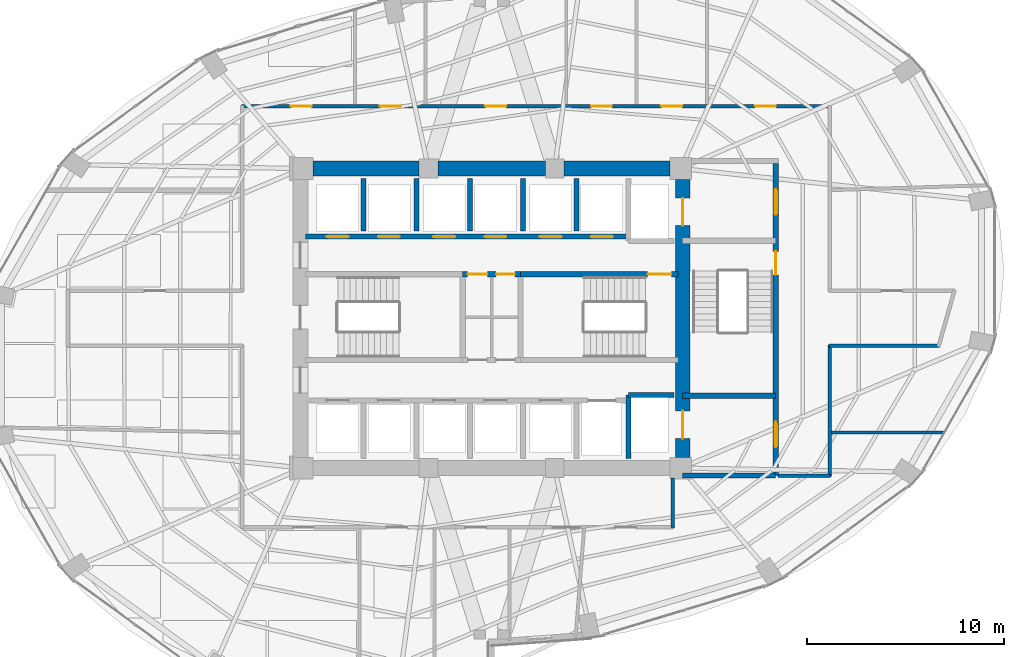
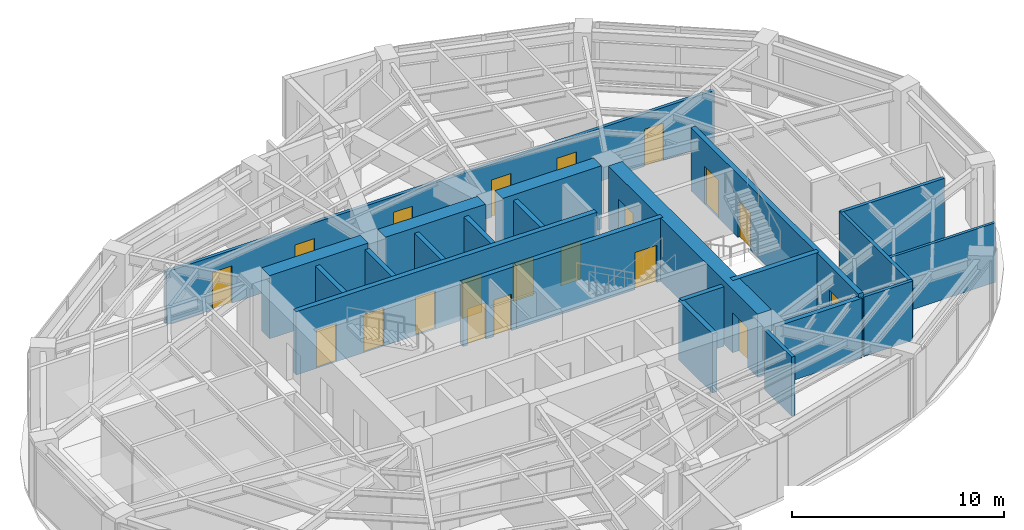
# One storey, part 20 of 23: 23 walls, 20 doors, 20 openings.
"""IFC4 building model written with IfcOpenShell, lengths in metres."""

from ifc_helpers import new_model, si_unit, direction, frame, frame_2d, origin, place, context, subcontext, project, spatial, rectangle, extrude, material, layer, layer_set, type_object, element, fill, save


model = new_model("IFC4")

# Units and contexts
model_context = context("Model", 3, precision=1e-05, world=origin(), true_north=direction((0.0, 1.0)))
body_context = subcontext(model_context, "Body", "Model", "MODEL_VIEW")
ifc_project = project(units=[si_unit("LENGTHUNIT", "METRE"), si_unit("AREAUNIT", "SQUARE_METRE"), si_unit("VOLUMEUNIT", "CUBIC_METRE"), si_unit("PLANEANGLEUNIT", "RADIAN"), si_unit("MASSUNIT", "GRAM", prefix="KILO")], contexts=[model_context])

# Site, building, storey
site_placement = place(None, origin())
site = spatial("IfcSite", under=ifc_project, at=site_placement, CompositionType="ELEMENT")
building_placement = place(site_placement, origin())
building = spatial("IfcBuilding", under=site, at=building_placement, Name="Lazwardi Medical Tower", CompositionType="ELEMENT")
storey_placement = place(building_placement, frame((0.0, 0.0, 89.0400390625)))
storey = spatial("IfcBuildingStorey", under=building, at=storey_placement, Name="L22", CompositionType="ELEMENT", Elevation=89.0400390625)

# Wall, openings, doors
ifc_material_1 = material(Name="Fire-rated gypsum board on steel stud", Category="steel")
ifc_layer_1 = layer(ifc_material_1, 0.179931640625)
ifc_layer_set_1 = layer_set([ifc_layer_1], Name="Fire-rated gypsum board on steel stud")
wall_type_1 = type_object("IfcWallType", Name="WL-COR-180", PredefinedType="PARTITIONING", material=ifc_layer_set_1)
wall_1_placement = place(storey_placement, frame((23.31005859375, 38.75, 0.0), z_axis=(0.0, 0.0, 1.0), x_axis=(1.0, 0.0, 0.0)))
wall_1 = element("IfcWall", 1, at=wall_1_placement, inside=storey, type_object=wall_type_1, Name="L22 Corridor partition 4", PredefinedType="PARTITIONING", context=body_context, shape_type="SweptSolid", body=[
    extrude(rectangle(XDim=29.8798828125, YDim=0.179931640625, at=frame_2d((14.93994140625, 0.0))), origin(), (0.0, 0.0, 1.0), 3.052978515625),
])
opening_1_placement = place(wall_1_placement, frame((26.06591796875, 0.0, 0.0)))
opening_1 = element("IfcOpeningElement", 2, at=opening_1_placement, cuts=wall_1, Name="Opening D-L22-015", PredefinedType="OPENING", context=body_context, shape_type="SweptSolid", body=[
    extrude(rectangle(XDim=1.050048828125, YDim=2.14990234375, at=frame_2d((0.52490234375, 1.074951171875))), frame((0.0, 0.099853515625, 0.0), z_axis=(0.0, -1.0, 0.0), x_axis=(1.0, 0.0, 0.0)), (0.0, 0.0, 1.0), 0.199951171875),
])
opening_2_placement = place(wall_1_placement, frame((21.31005859375, 0.0, 0.0)))
opening_2 = element("IfcOpeningElement", 3, at=opening_2_placement, cuts=wall_1, Name="Opening D-L22-016", PredefinedType="OPENING", context=body_context, shape_type="SweptSolid", body=[
    extrude(rectangle(XDim=1.050048828125, YDim=2.14990234375, at=frame_2d((0.52490234375, 1.074951171875))), frame((0.0, 0.099853515625, 0.0), z_axis=(0.0, -1.0, 0.0), x_axis=(1.0, 0.0, 0.0)), (0.0, 0.0, 1.0), 0.199951171875),
])
opening_3_placement = place(wall_1_placement, frame((17.739990234375, 0.0, 0.0)))
opening_3 = element("IfcOpeningElement", 4, at=opening_3_placement, cuts=wall_1, Name="Opening D-L22-017", PredefinedType="OPENING", context=body_context, shape_type="SweptSolid", body=[
    extrude(rectangle(XDim=1.050048828125, YDim=2.14990234375, at=frame_2d((0.52490234375, 1.074951171875))), frame((0.0, 0.099853515625, 0.0), z_axis=(0.0, -1.0, 0.0), x_axis=(1.0, 0.0, 0.0)), (0.0, 0.0, 1.0), 0.199951171875),
])
opening_4_placement = place(wall_1_placement, frame((12.3798828125, 0.0, 0.0)))
opening_4 = element("IfcOpeningElement", 5, at=opening_4_placement, cuts=wall_1, Name="Opening D-L22-018", PredefinedType="OPENING", context=body_context, shape_type="SweptSolid", body=[
    extrude(rectangle(XDim=1.050048828125, YDim=2.14990234375, at=frame_2d((0.52490234375, 1.074951171875))), frame((0.0, 0.099853515625, 0.0), z_axis=(0.0, -1.0, 0.0), x_axis=(1.0, 0.0, 0.0)), (0.0, 0.0, 1.0), 0.199951171875),
])
opening_5_placement = place(wall_1_placement, frame((7.02001953125, 0.0, 0.0)))
opening_5 = element("IfcOpeningElement", 6, at=opening_5_placement, cuts=wall_1, Name="Opening D-L22-019", PredefinedType="OPENING", context=body_context, shape_type="SweptSolid", body=[
    extrude(rectangle(XDim=1.050048828125, YDim=2.14990234375, at=frame_2d((0.52490234375, 1.074951171875))), frame((0.0, 0.099853515625, 0.0), z_axis=(0.0, -1.0, 0.0), x_axis=(1.0, 0.0, 0.0)), (0.0, 0.0, 1.0), 0.199951171875),
])
opening_6_placement = place(wall_1_placement, frame((2.513916015625, 0.0, 0.0)))
opening_6 = element("IfcOpeningElement", 7, at=opening_6_placement, cuts=wall_1, Name="Opening D-L22-020", PredefinedType="OPENING", context=body_context, shape_type="SweptSolid", body=[
    extrude(rectangle(XDim=1.050048828125, YDim=2.14990234375, at=frame_2d((0.52490234375, 1.074951171875))), frame((0.0, 0.099853515625, 0.0), z_axis=(0.0, -1.0, 0.0), x_axis=(1.0, 0.0, 0.0)), (0.0, 0.0, 1.0), 0.199951171875),
])
ifc_material_2 = material(Name="Anti-microbial laminate hospital leaf")
door_type_1 = type_object("IfcDoorType", Name="DR-CLN-1050", OperationType="NOTDEFINED", PredefinedType="DOOR", material=ifc_material_2)
door_1_placement = place(opening_1_placement, origin())
door_1 = element("IfcDoor", 8, at=door_1_placement, inside=storey, type_object=door_type_1, Name="L22 Outpatient Consultation Suite Door 07", OperationType="SINGLE_SWING_LEFT", OverallHeight=2.14990234375, OverallWidth=1.050048828125, PredefinedType="DOOR", context=body_context, shape_type="SweptSolid", body=[
    extrude(rectangle(XDim=1.050048828125, YDim=2.14990234375, at=frame_2d((0.52490234375, 1.074951171875))), frame((0.0, 0.02490234375, 0.0), z_axis=(0.0, -1.0, 0.0), x_axis=(1.0, 0.0, 0.0)), (0.0, 0.0, 1.0), 0.050048828125),
])
fill(opening_1, door_1)
door_2_placement = place(opening_2_placement, origin())
door_2 = element("IfcDoor", 9, at=door_2_placement, inside=storey, type_object=door_type_1, Name="L22 Outpatient Consultation Suite Door 08", OperationType="SINGLE_SWING_RIGHT", OverallHeight=2.14990234375, OverallWidth=1.050048828125, PredefinedType="DOOR", context=body_context, shape_type="SweptSolid", body=[
    extrude(rectangle(XDim=1.050048828125, YDim=2.14990234375, at=frame_2d((0.52490234375, 1.074951171875))), frame((0.0, 0.02490234375, 0.0), z_axis=(0.0, -1.0, 0.0), x_axis=(1.0, 0.0, 0.0)), (0.0, 0.0, 1.0), 0.050048828125),
])
fill(opening_2, door_2)
door_3_placement = place(opening_3_placement, origin())
door_3 = element("IfcDoor", 10, at=door_3_placement, inside=storey, type_object=door_type_1, Name="L22 Outpatient Consultation Suite Door 09", OperationType="SINGLE_SWING_LEFT", OverallHeight=2.14990234375, OverallWidth=1.050048828125, PredefinedType="DOOR", context=body_context, shape_type="SweptSolid", body=[
    extrude(rectangle(XDim=1.050048828125, YDim=2.14990234375, at=frame_2d((0.52490234375, 1.074951171875))), frame((0.0, 0.02490234375, 0.0), z_axis=(0.0, -1.0, 0.0), x_axis=(1.0, 0.0, 0.0)), (0.0, 0.0, 1.0), 0.050048828125),
])
fill(opening_3, door_3)
door_4_placement = place(opening_4_placement, origin())
door_4 = element("IfcDoor", 11, at=door_4_placement, inside=storey, type_object=door_type_1, Name="L22 Outpatient Consultation Suite Door 10", OperationType="SINGLE_SWING_RIGHT", OverallHeight=2.14990234375, OverallWidth=1.050048828125, PredefinedType="DOOR", context=body_context, shape_type="SweptSolid", body=[
    extrude(rectangle(XDim=1.050048828125, YDim=2.14990234375, at=frame_2d((0.52490234375, 1.074951171875))), frame((0.0, 0.02490234375, 0.0), z_axis=(0.0, -1.0, 0.0), x_axis=(1.0, 0.0, 0.0)), (0.0, 0.0, 1.0), 0.050048828125),
])
fill(opening_4, door_4)
door_5_placement = place(opening_5_placement, origin())
door_5 = element("IfcDoor", 12, at=door_5_placement, inside=storey, type_object=door_type_1, Name="L22 Outpatient Consultation Suite Door 11", OperationType="SINGLE_SWING_LEFT", OverallHeight=2.14990234375, OverallWidth=1.050048828125, PredefinedType="DOOR", context=body_context, shape_type="SweptSolid", body=[
    extrude(rectangle(XDim=1.050048828125, YDim=2.14990234375, at=frame_2d((0.52490234375, 1.074951171875))), frame((0.0, 0.02490234375, 0.0), z_axis=(0.0, -1.0, 0.0), x_axis=(1.0, 0.0, 0.0)), (0.0, 0.0, 1.0), 0.050048828125),
])
fill(opening_5, door_5)
door_6_placement = place(opening_6_placement, origin())
door_6 = element("IfcDoor", 13, at=door_6_placement, inside=storey, type_object=door_type_1, Name="L22 Outpatient Consultation Suite Door 12", OperationType="SINGLE_SWING_RIGHT", OverallHeight=2.14990234375, OverallWidth=1.050048828125, PredefinedType="DOOR", context=body_context, shape_type="SweptSolid", body=[
    extrude(rectangle(XDim=1.050048828125, YDim=2.14990234375, at=frame_2d((0.52490234375, 1.074951171875))), frame((0.0, 0.02490234375, 0.0), z_axis=(0.0, -1.0, 0.0), x_axis=(1.0, 0.0, 0.0)), (0.0, 0.0, 1.0), 0.050048828125),
])
fill(opening_6, door_6)

# Walls
wall_2_placement = place(storey_placement, frame((58.727294921875, 26.60009765625, 0.0), z_axis=(0.0, 0.0, 1.0), x_axis=(-1.0, 0.0, 0.0)))
element("IfcWall", 14, at=wall_2_placement, inside=storey, type_object=wall_type_1, Name="L22 Corridor partition 8", PredefinedType="PARTITIONING", context=body_context, shape_type="SweptSolid", body=[
    extrude(rectangle(XDim=5.6171875, YDim=0.179931640625, at=frame_2d((2.80859375, 0.0))), origin(), (0.0, 0.0, 1.0), 3.427978515625),
])
wall_3_placement = place(storey_placement, frame((53.14990234375, 26.639892578125, 0.0), z_axis=(0.0, 0.0, 1.0), x_axis=(0.0, -1.0, 0.0)))
element("IfcWall", 15, at=wall_3_placement, inside=storey, type_object=wall_type_1, Name="L22 Corridor partition 9", PredefinedType="PARTITIONING", context=body_context, shape_type="SweptSolid", body=[
    extrude(rectangle(XDim=6.659912109375, YDim=0.179931640625, at=frame_2d((3.330078125, 0.0))), origin(), (0.0, 0.0, 1.0), 3.427978515625),
])
wall_4_placement = place(storey_placement, frame((53.18994140625, 20.02001953125, 0.0), z_axis=(0.0, 0.0, 1.0), x_axis=(-1.0, 0.0, 0.0)))
element("IfcWall", 16, at=wall_4_placement, inside=storey, type_object=wall_type_1, Name="L22 Corridor partition 10", PredefinedType="PARTITIONING", context=body_context, shape_type="SweptSolid", body=[
    extrude(rectangle(XDim=2.64990234375, YDim=0.179931640625, at=frame_2d((1.324951171875, 0.0))), origin(), (0.0, 0.0, 1.0), 3.427978515625),
])
wall_5_placement = place(storey_placement, frame((45.199951171875, 19.909912109375, 0.0), z_axis=(0.0, 0.0, 1.0), x_axis=(0.0, -1.0, 0.0)))
element("IfcWall", 17, at=wall_5_placement, inside=storey, type_object=wall_type_1, Name="L22 Corridor partition 13", PredefinedType="PARTITIONING", context=body_context, shape_type="SweptSolid", body=[
    extrude(rectangle(XDim=2.5498046875, YDim=0.179931640625, at=frame_2d((1.27490234375, 0.0))), origin(), (0.0, 0.0, 1.0), 3.427978515625),
])

# Wall, openings, doors
ifc_material_3 = material(Name="Concrete C70/85", Category="concrete")
ifc_layer_2 = layer(ifc_material_3, 0.75)
ifc_layer_set_2 = layer_set([ifc_layer_2], Name="Concrete C70/85")
wall_type_2 = type_object("IfcWallType", Name="WL-CORE-750", PredefinedType="SHEAR", material=ifc_layer_set_2)
wall_6_placement = place(storey_placement, frame((45.699951171875, 20.949951171875, 0.0), z_axis=(0.0, 0.0, 1.0), x_axis=(0.0, 1.0, 0.0)))
wall_6 = element("IfcWall", 18, at=wall_6_placement, inside=storey, type_object=wall_type_2, Name="Core wall CW-S2 east L22", PredefinedType="SHEAR", context=body_context, shape_type="SweptSolid", body=[
    extrude(rectangle(XDim=14.10009765625, YDim=0.75, at=frame_2d((7.050048828125, 0.0))), origin(), (0.0, 0.0, 1.0), 3.64794921875),
])
opening_7_placement = place(wall_6_placement, frame((11.75, 0.0, 0.0)))
opening_7 = element("IfcOpeningElement", 19, at=opening_7_placement, cuts=wall_6, Name="Opening LD-L22-001", PredefinedType="OPENING", context=body_context, shape_type="SweptSolid", body=[
    extrude(rectangle(XDim=1.39990234375, YDim=2.300048828125, at=frame_2d((0.699951171875, 1.14990234375))), frame((0.0, 0.385009765625, 0.0), z_axis=(0.0, -1.0, 0.0), x_axis=(1.0, 0.0, 0.0)), (0.0, 0.0, 1.0), 0.77001953125),
])
opening_8_placement = place(wall_6_placement, frame((0.949951171875, 0.0, 0.0)))
opening_8 = element("IfcOpeningElement", 20, at=opening_8_placement, cuts=wall_6, Name="Opening LD-L22-002", PredefinedType="OPENING", context=body_context, shape_type="SweptSolid", body=[
    extrude(rectangle(XDim=1.39990234375, YDim=2.300048828125, at=frame_2d((0.699951171875, 1.14990234375))), frame((0.0, 0.385009765625, 0.0), z_axis=(0.0, -1.0, 0.0), x_axis=(1.0, 0.0, 0.0)), (0.0, 0.0, 1.0), 0.77001953125),
])
ifc_material_4 = material(Name="Brushed stainless steel bed-lift landing door", Category="steel")
door_type_2 = type_object("IfcDoorType", Name="DR-LFT-1400", OperationType="NOTDEFINED", PredefinedType="DOOR", material=ifc_material_4)
door_7_placement = place(opening_7_placement, origin())
door_7 = element("IfcDoor", 21, at=door_7_placement, inside=storey, type_object=door_type_2, Name="L22 Lift Landing Door FL-01", OperationType="SLIDING_TO_LEFT", OverallHeight=2.300048828125, OverallWidth=1.39990234375, PredefinedType="DOOR", context=body_context, shape_type="SweptSolid", body=[
    extrude(rectangle(XDim=1.39990234375, YDim=2.300048828125, at=frame_2d((0.699951171875, 1.14990234375))), frame((0.0, 0.02490234375, 0.0), z_axis=(0.0, -1.0, 0.0), x_axis=(1.0, 0.0, 0.0)), (0.0, 0.0, 1.0), 0.050048828125),
])
fill(opening_7, door_7)
door_8_placement = place(opening_8_placement, origin())
door_8 = element("IfcDoor", 22, at=door_8_placement, inside=storey, type_object=door_type_2, Name="L22 Lift Landing Door FL-02", OperationType="SLIDING_TO_LEFT", OverallHeight=2.300048828125, OverallWidth=1.39990234375, PredefinedType="DOOR", context=body_context, shape_type="SweptSolid", body=[
    extrude(rectangle(XDim=1.39990234375, YDim=2.300048828125, at=frame_2d((0.699951171875, 1.14990234375))), frame((0.0, 0.02490234375, 0.0), z_axis=(0.0, -1.0, 0.0), x_axis=(1.0, 0.0, 0.0)), (0.0, 0.0, 1.0), 0.050048828125),
])
fill(opening_8, door_8)

# Walls
wall_7_placement = place(storey_placement, frame((26.949951171875, 35.60009765625, 0.0), z_axis=(0.0, 0.0, 1.0), x_axis=(1.0, 0.0, 0.0)))
element("IfcWall", 23, at=wall_7_placement, inside=storey, type_object=wall_type_2, Name="Core wall CW-S2 N1 L22", PredefinedType="SHEAR", context=body_context, shape_type="SweptSolid", body=[
    extrude(rectangle(XDim=5.375, YDim=0.75, at=frame_2d((2.6875, 0.0))), origin(), (0.0, 0.0, 1.0), 3.64794921875),
])
wall_8_placement = place(storey_placement, frame((33.27490234375, 35.60009765625, 0.0), z_axis=(0.0, 0.0, 1.0), x_axis=(1.0, 0.0, 0.0)))
element("IfcWall", 24, at=wall_8_placement, inside=storey, type_object=wall_type_2, Name="Core wall CW-S2 N2 L22", PredefinedType="SHEAR", context=body_context, shape_type="SweptSolid", body=[
    extrude(rectangle(XDim=5.4501953125, YDim=0.75, at=frame_2d((2.72509765625, 0.0))), origin(), (0.0, 0.0, 1.0), 3.64794921875),
])
wall_9_placement = place(storey_placement, frame((39.675048828125, 35.60009765625, 0.0), z_axis=(0.0, 0.0, 1.0), x_axis=(1.0, 0.0, 0.0)))
element("IfcWall", 25, at=wall_9_placement, inside=storey, type_object=wall_type_2, Name="Core wall CW-S2 N3 L22", PredefinedType="SHEAR", context=body_context, shape_type="SweptSolid", body=[
    extrude(rectangle(XDim=5.375, YDim=0.75, at=frame_2d((2.6875, 0.0))), origin(), (0.0, 0.0, 1.0), 3.64794921875),
])
ifc_material_5 = material(Name="Autoclaved aerated concrete blockwork", Category="masonry")
ifc_layer_3 = layer(ifc_material_5, 0.25)
ifc_layer_set_3 = layer_set([ifc_layer_3], Name="Autoclaved aerated concrete blockwork")
wall_type_3 = type_object("IfcWallType", Name="WL-SHAFT-250", PredefinedType="SOLIDWALL", material=ifc_layer_set_3)
wall_10_placement = place(storey_placement, frame((42.949951171875, 20.89990234375, 0.0), z_axis=(0.0, 0.0, 1.0), x_axis=(0.0, 1.0, 0.0)))
element("IfcWall", 26, at=wall_10_placement, inside=storey, type_object=wall_type_3, Name="L22 FL-02 West shaft wall", PredefinedType="SOLIDWALL", context=body_context, shape_type="SweptSolid", body=[
    extrude(rectangle(XDim=3.2001953125, YDim=0.25, at=frame_2d((1.60009765625, 0.0))), origin(), (0.0, 0.0, 1.0), 3.427978515625),
])
wall_11_placement = place(storey_placement, frame((42.949951171875, 24.10009765625, 0.0), z_axis=(0.0, 0.0, 1.0), x_axis=(1.0, 0.0, 0.0)))
element("IfcWall", 27, at=wall_11_placement, inside=storey, type_object=wall_type_3, Name="L22 FL-02 North shaft wall", PredefinedType="SOLIDWALL", context=body_context, shape_type="SweptSolid", body=[
    extrude(rectangle(XDim=2.300048828125, YDim=0.25, at=frame_2d((1.14990234375, 0.0))), origin(), (0.0, 0.0, 1.0), 3.427978515625),
])
for number, where, z_axis, x_axis, name in (
    (28, (29.5, 32.419921875, 0.0), (0.0, 0.0, 1.0), (0.0, 1.0, 0.0), "L22 North hoistway divider"),
    (29, (32.199951171875, 32.419921875, 0.0), (0.0, 0.0, 1.0), (0.0, 1.0, 0.0), "L22 North hoistway divider"),
    (30, (34.89990234375, 32.419921875, 0.0), (0.0, 0.0, 1.0), (0.0, 1.0, 0.0), "L22 North hoistway divider"),
    (31, (37.60009765625, 32.419921875, 0.0), (0.0, 0.0, 1.0), (0.0, 1.0, 0.0), "L22 North hoistway divider"),
    (32, (40.300048828125, 32.419921875, 0.0), (0.0, 0.0, 1.0), (0.0, 1.0, 0.0), "L22 North hoistway divider"),
):
    element("IfcWall", number, at=place(storey_placement, frame(where, z_axis=z_axis, x_axis=x_axis)), inside=storey, type_object=wall_type_3, Name=name, PredefinedType="SOLIDWALL", context=body_context, shape_type="SweptSolid", body=[
        extrude(rectangle(XDim=2.68017578125, YDim=0.25, at=frame_2d((1.340087890625, 0.0))), origin(), (0.0, 0.0, 1.0), 3.427978515625),
    ])
wall_12_placement = place(storey_placement, frame((45.699951171875, 20.02001953125, 0.0), z_axis=(0.0, 0.0, 1.0), x_axis=(1.0, 0.0, 0.0)))
element("IfcWall", 33, at=wall_12_placement, inside=storey, type_object=wall_type_3, Name="L22 FFL-S South wall", PredefinedType="SOLIDWALL", context=body_context, shape_type="SweptSolid", body=[
    extrude(rectangle(XDim=4.715087890625, YDim=0.25, at=frame_2d((2.357421875, 0.0))), origin(), (0.0, 0.0, 1.0), 3.427978515625),
])

# Wall, openings, doors
ifc_material_6 = material(Name="Concrete C50/60", Category="concrete")
ifc_layer_4 = layer(ifc_material_6, 0.27001953125)
ifc_layer_set_4 = layer_set([ifc_layer_4], Name="Concrete C50/60")
wall_type_4 = type_object("IfcWallType", Name="WL-STR-250", PredefinedType="SHEAR", material=ifc_layer_set_4)
wall_13_placement = place(storey_placement, frame((34.534912109375, 30.235107421875, 0.0), z_axis=(0.0, 0.0, 1.0), x_axis=(1.0, 0.0, 0.0)))
wall_13 = element("IfcWall", 34, at=wall_13_placement, inside=storey, type_object=wall_type_4, Name="L22 Core service North shear wall SW-S1", PredefinedType="SHEAR", context=body_context, shape_type="SweptSolid", body=[
    extrude(rectangle(XDim=2.93017578125, YDim=0.27001953125, at=frame_2d((1.465087890625, 0.0))), origin(), (0.0, 0.0, 1.0), 3.64794921875),
])
opening_9_placement = place(wall_13_placement, frame((0.2548828125, 0.0, 0.0)))
opening_9 = element("IfcOpeningElement", 35, at=opening_9_placement, cuts=wall_13, Name="Opening D-L22-003", PredefinedType="OPENING", context=body_context, shape_type="SweptSolid", body=[
    extrude(rectangle(XDim=1.0, YDim=2.10009765625, at=frame_2d((0.5, 1.050048828125))), frame((0.0, 0.14501953125, 0.0), z_axis=(0.0, -1.0, 0.0), x_axis=(1.0, 0.0, 0.0)), (0.0, 0.0, 1.0), 0.2900390625),
])
opening_10_placement = place(wall_13_placement, frame((1.699951171875, 0.0, 0.0)))
opening_10 = element("IfcOpeningElement", 36, at=opening_10_placement, cuts=wall_13, Name="Opening D-L22-004", PredefinedType="OPENING", context=body_context, shape_type="SweptSolid", body=[
    extrude(rectangle(XDim=0.949951171875, YDim=2.10009765625, at=frame_2d((0.47509765625, 1.050048828125))), frame((0.0, 0.14501953125, 0.0), z_axis=(0.0, -1.0, 0.0), x_axis=(1.0, 0.0, 0.0)), (0.0, 0.0, 1.0), 0.2900390625),
])
ifc_material_7 = material(Name="Moisture-resistant laminate door leaf")
door_type_3 = type_object("IfcDoorType", Name="DR-AWC-1000", OperationType="NOTDEFINED", PredefinedType="DOOR", material=ifc_material_7)
door_9_placement = place(opening_9_placement, origin())
door_9 = element("IfcDoor", 37, at=door_9_placement, inside=storey, type_object=door_type_3, Name="L22 Accessible WC Door", OperationType="SINGLE_SWING_RIGHT", OverallHeight=2.10009765625, OverallWidth=1.0, PredefinedType="DOOR", context=body_context, shape_type="SweptSolid", body=[
    extrude(rectangle(XDim=1.0, YDim=2.10009765625, at=frame_2d((0.5, 1.050048828125))), frame((0.0, 0.02490234375, 0.0), z_axis=(0.0, -1.0, 0.0), x_axis=(1.0, 0.0, 0.0)), (0.0, 0.0, 1.0), 0.050048828125),
])
fill(opening_9, door_9)
door_type_4 = type_object("IfcDoorType", Name="DR-ENS-950", OperationType="NOTDEFINED", PredefinedType="DOOR", material=ifc_material_7)
door_10_placement = place(opening_10_placement, origin())
door_10 = element("IfcDoor", 38, at=door_10_placement, inside=storey, type_object=door_type_4, Name="L22 Clean Utility Door", OperationType="SINGLE_SWING_LEFT", OverallHeight=2.10009765625, OverallWidth=0.949951171875, PredefinedType="DOOR", context=body_context, shape_type="SweptSolid", body=[
    extrude(rectangle(XDim=0.949951171875, YDim=2.10009765625, at=frame_2d((0.47509765625, 1.050048828125))), frame((0.0, 0.02490234375, 0.0), z_axis=(0.0, -1.0, 0.0), x_axis=(1.0, 0.0, 0.0)), (0.0, 0.0, 1.0), 0.050048828125),
])
fill(opening_10, door_10)

# Wall, opening, door
wall_14_placement = place(storey_placement, frame((37.465087890625, 30.235107421875, 0.0), z_axis=(0.0, 0.0, 1.0), x_axis=(1.0, 0.0, 0.0)))
wall_14 = element("IfcWall", 39, at=wall_14_placement, inside=storey, type_object=wall_type_4, Name="L22 ST2 North shear shaft wall SW-S1", PredefinedType="SHEAR", context=body_context, shape_type="SweptSolid", body=[
    extrude(rectangle(XDim=7.98486328125, YDim=0.27001953125, at=frame_2d((3.992431640625, 0.0))), origin(), (0.0, 0.0, 1.0), 3.64794921875),
])
opening_11_placement = place(wall_14_placement, frame((6.455078125, 0.0, 0.0)))
opening_11 = element("IfcOpeningElement", 40, at=opening_11_placement, cuts=wall_14, Name="Opening D-L22-023", PredefinedType="OPENING", context=body_context, shape_type="SweptSolid", body=[
    extrude(rectangle(XDim=1.199951171875, YDim=2.14990234375, at=frame_2d((0.60009765625, 1.074951171875))), frame((0.0, 0.14501953125, 0.0), z_axis=(0.0, -1.0, 0.0), x_axis=(1.0, 0.0, 0.0)), (0.0, 0.0, 1.0), 0.2900390625),
])
ifc_material_8 = material(Name="Fire-rated steel leaf and frame", Category="steel")
door_type_5 = type_object("IfcDoorType", Name="DR-STR-1200", OperationType="NOTDEFINED", PredefinedType="DOOR", material=ifc_material_8)
door_11_placement = place(opening_11_placement, origin())
door_11 = element("IfcDoor", 41, at=door_11_placement, inside=storey, type_object=door_type_5, Name="L22 Exit Stair ST2 Door", OperationType="SINGLE_SWING_LEFT", OverallHeight=2.14990234375, OverallWidth=1.199951171875, PredefinedType="DOOR", context=body_context, shape_type="SweptSolid", body=[
    extrude(rectangle(XDim=1.199951171875, YDim=2.14990234375, at=frame_2d((0.60009765625, 1.074951171875))), frame((0.0, 0.02490234375, 0.0), z_axis=(0.0, -1.0, 0.0), x_axis=(1.0, 0.0, 0.0)), (0.0, 0.0, 1.0), 0.050048828125),
])
fill(opening_11, door_11)

# Wall, openings, doors
wall_15_placement = place(storey_placement, frame((26.550048828125, 32.14990234375, 0.0), z_axis=(0.0, 0.0, 1.0), x_axis=(1.0, 0.0, 0.0)))
wall_15 = element("IfcWall", 42, at=wall_15_placement, inside=storey, type_object=wall_type_4, Name="L22 North lift bank shear wall SW-S1", PredefinedType="SHEAR", context=body_context, shape_type="SweptSolid", body=[
    extrude(rectangle(XDim=16.39990234375, YDim=0.27001953125, at=frame_2d((8.199951171875, 0.0))), origin(), (0.0, 0.0, 1.0), 3.64794921875),
])
opening_12_placement = place(wall_15_placement, frame((1.10009765625, 0.0, 0.0)))
opening_12 = element("IfcOpeningElement", 43, at=opening_12_placement, cuts=wall_15, Name="Opening LD-L22-004", PredefinedType="OPENING", context=body_context, shape_type="SweptSolid", body=[
    extrude(rectangle(XDim=1.10009765625, YDim=2.199951171875, at=frame_2d((0.550048828125, 1.10009765625))), frame((0.0, 0.14501953125, 0.0), z_axis=(0.0, -1.0, 0.0), x_axis=(1.0, 0.0, 0.0)), (0.0, 0.0, 1.0), 0.2900390625),
])
opening_13_placement = place(wall_15_placement, frame((3.699951171875, 0.0, 0.0)))
opening_13 = element("IfcOpeningElement", 44, at=opening_13_placement, cuts=wall_15, Name="Opening LD-L22-005", PredefinedType="OPENING", context=body_context, shape_type="SweptSolid", body=[
    extrude(rectangle(XDim=1.10009765625, YDim=2.199951171875, at=frame_2d((0.550048828125, 1.10009765625))), frame((0.0, 0.14501953125, 0.0), z_axis=(0.0, -1.0, 0.0), x_axis=(1.0, 0.0, 0.0)), (0.0, 0.0, 1.0), 0.2900390625),
])
opening_14_placement = place(wall_15_placement, frame((6.5, 0.0, 0.0)))
opening_14 = element("IfcOpeningElement", 45, at=opening_14_placement, cuts=wall_15, Name="Opening LD-L22-008", PredefinedType="OPENING", context=body_context, shape_type="SweptSolid", body=[
    extrude(rectangle(XDim=1.10009765625, YDim=2.199951171875, at=frame_2d((0.550048828125, 1.10009765625))), frame((0.0, 0.14501953125, 0.0), z_axis=(0.0, -1.0, 0.0), x_axis=(1.0, 0.0, 0.0)), (0.0, 0.0, 1.0), 0.2900390625),
])
opening_15_placement = place(wall_15_placement, frame((9.10009765625, 0.0, 0.0)))
opening_15 = element("IfcOpeningElement", 46, at=opening_15_placement, cuts=wall_15, Name="Opening LD-L22-009", PredefinedType="OPENING", context=body_context, shape_type="SweptSolid", body=[
    extrude(rectangle(XDim=1.10009765625, YDim=2.199951171875, at=frame_2d((0.550048828125, 1.10009765625))), frame((0.0, 0.14501953125, 0.0), z_axis=(0.0, -1.0, 0.0), x_axis=(1.0, 0.0, 0.0)), (0.0, 0.0, 1.0), 0.2900390625),
])
opening_16_placement = place(wall_15_placement, frame((11.89990234375, 0.0, 0.0)))
opening_16 = element("IfcOpeningElement", 47, at=opening_16_placement, cuts=wall_15, Name="Opening LD-L22-012", PredefinedType="OPENING", context=body_context, shape_type="SweptSolid", body=[
    extrude(rectangle(XDim=1.10009765625, YDim=2.199951171875, at=frame_2d((0.550048828125, 1.10009765625))), frame((0.0, 0.14501953125, 0.0), z_axis=(0.0, -1.0, 0.0), x_axis=(1.0, 0.0, 0.0)), (0.0, 0.0, 1.0), 0.2900390625),
])
opening_17_placement = place(wall_15_placement, frame((14.5, 0.0, 0.0)))
opening_17 = element("IfcOpeningElement", 48, at=opening_17_placement, cuts=wall_15, Name="Opening LD-L22-013", PredefinedType="OPENING", context=body_context, shape_type="SweptSolid", body=[
    extrude(rectangle(XDim=1.10009765625, YDim=2.199951171875, at=frame_2d((0.550048828125, 1.10009765625))), frame((0.0, 0.14501953125, 0.0), z_axis=(0.0, -1.0, 0.0), x_axis=(1.0, 0.0, 0.0)), (0.0, 0.0, 1.0), 0.2900390625),
])
ifc_material_9 = material(Name="Brushed bronze stainless steel landing door", Category="steel")
door_type_6 = type_object("IfcDoorType", Name="DR-LFT-1100", OperationType="NOTDEFINED", PredefinedType="DOOR", material=ifc_material_9)
door_12_placement = place(opening_12_placement, origin())
door_12 = element("IfcDoor", 49, at=door_12_placement, inside=storey, type_object=door_type_6, Name="L22 Lift Landing Door PL-01", OperationType="SLIDING_TO_LEFT", OverallHeight=2.199951171875, OverallWidth=1.10009765625, PredefinedType="DOOR", context=body_context, shape_type="SweptSolid", body=[
    extrude(rectangle(XDim=1.10009765625, YDim=2.199951171875, at=frame_2d((0.550048828125, 1.10009765625))), frame((0.0, 0.02490234375, 0.0), z_axis=(0.0, -1.0, 0.0), x_axis=(1.0, 0.0, 0.0)), (0.0, 0.0, 1.0), 0.050048828125),
])
fill(opening_12, door_12)
door_13_placement = place(opening_13_placement, origin())
door_13 = element("IfcDoor", 50, at=door_13_placement, inside=storey, type_object=door_type_6, Name="L22 Lift Landing Door PL-02", OperationType="SLIDING_TO_LEFT", OverallHeight=2.199951171875, OverallWidth=1.10009765625, PredefinedType="DOOR", context=body_context, shape_type="SweptSolid", body=[
    extrude(rectangle(XDim=1.10009765625, YDim=2.199951171875, at=frame_2d((0.550048828125, 1.10009765625))), frame((0.0, 0.02490234375, 0.0), z_axis=(0.0, -1.0, 0.0), x_axis=(1.0, 0.0, 0.0)), (0.0, 0.0, 1.0), 0.050048828125),
])
fill(opening_13, door_13)
door_14_placement = place(opening_14_placement, origin())
door_14 = element("IfcDoor", 51, at=door_14_placement, inside=storey, type_object=door_type_6, Name="L22 Lift Landing Door PL-05", OperationType="SLIDING_TO_LEFT", OverallHeight=2.199951171875, OverallWidth=1.10009765625, PredefinedType="DOOR", context=body_context, shape_type="SweptSolid", body=[
    extrude(rectangle(XDim=1.10009765625, YDim=2.199951171875, at=frame_2d((0.550048828125, 1.10009765625))), frame((0.0, 0.02490234375, 0.0), z_axis=(0.0, -1.0, 0.0), x_axis=(1.0, 0.0, 0.0)), (0.0, 0.0, 1.0), 0.050048828125),
])
fill(opening_14, door_14)
door_15_placement = place(opening_15_placement, origin())
door_15 = element("IfcDoor", 52, at=door_15_placement, inside=storey, type_object=door_type_6, Name="L22 Lift Landing Door PL-06", OperationType="SLIDING_TO_LEFT", OverallHeight=2.199951171875, OverallWidth=1.10009765625, PredefinedType="DOOR", context=body_context, shape_type="SweptSolid", body=[
    extrude(rectangle(XDim=1.10009765625, YDim=2.199951171875, at=frame_2d((0.550048828125, 1.10009765625))), frame((0.0, 0.02490234375, 0.0), z_axis=(0.0, -1.0, 0.0), x_axis=(1.0, 0.0, 0.0)), (0.0, 0.0, 1.0), 0.050048828125),
])
fill(opening_15, door_15)
door_16_placement = place(opening_16_placement, origin())
door_16 = element("IfcDoor", 53, at=door_16_placement, inside=storey, type_object=door_type_6, Name="L22 Lift Landing Door PL-09", OperationType="SLIDING_TO_LEFT", OverallHeight=2.199951171875, OverallWidth=1.10009765625, PredefinedType="DOOR", context=body_context, shape_type="SweptSolid", body=[
    extrude(rectangle(XDim=1.10009765625, YDim=2.199951171875, at=frame_2d((0.550048828125, 1.10009765625))), frame((0.0, 0.02490234375, 0.0), z_axis=(0.0, -1.0, 0.0), x_axis=(1.0, 0.0, 0.0)), (0.0, 0.0, 1.0), 0.050048828125),
])
fill(opening_16, door_16)
door_17_placement = place(opening_17_placement, origin())
door_17 = element("IfcDoor", 54, at=door_17_placement, inside=storey, type_object=door_type_6, Name="L22 Lift Landing Door PL-10", OperationType="SLIDING_TO_LEFT", OverallHeight=2.199951171875, OverallWidth=1.10009765625, PredefinedType="DOOR", context=body_context, shape_type="SweptSolid", body=[
    extrude(rectangle(XDim=1.10009765625, YDim=2.199951171875, at=frame_2d((0.550048828125, 1.10009765625))), frame((0.0, 0.02490234375, 0.0), z_axis=(0.0, -1.0, 0.0), x_axis=(1.0, 0.0, 0.0)), (0.0, 0.0, 1.0), 0.050048828125),
])
fill(opening_17, door_17)

wall_16_placement = place(storey_placement, frame((50.4150390625, 35.844970703125, 0.0), z_axis=(0.0, 0.0, 1.0), x_axis=(0.0, -1.0, 0.0)))
wall_16 = element("IfcWall", 55, at=wall_16_placement, inside=storey, type_object=wall_type_4, Name="L22 East ST3 & FFL shear wall SW-S1", PredefinedType="SHEAR", context=body_context, shape_type="SweptSolid", body=[
    extrude(rectangle(XDim=15.824951171875, YDim=0.27001953125, at=frame_2d((7.91259765625, 0.0))), origin(), (0.0, 0.0, 1.0), 3.64794921875),
])
opening_18_placement = place(wall_16_placement, frame((4.445068359375, 0.0, 0.0)))
opening_18 = element("IfcOpeningElement", 56, at=opening_18_placement, cuts=wall_16, Name="Opening D-L22-024", PredefinedType="OPENING", context=body_context, shape_type="SweptSolid", body=[
    extrude(rectangle(XDim=1.199951171875, YDim=2.14990234375, at=frame_2d((0.60009765625, 1.074951171875))), frame((0.0, 0.14501953125, 0.0), z_axis=(0.0, -1.0, 0.0), x_axis=(1.0, 0.0, 0.0)), (0.0, 0.0, 1.0), 0.2900390625),
])
opening_19_placement = place(wall_16_placement, frame((1.294921875, 0.0, 0.0)))
opening_19 = element("IfcOpeningElement", 57, at=opening_19_placement, cuts=wall_16, Name="Opening D-L22-005", PredefinedType="OPENING", context=body_context, shape_type="SweptSolid", body=[
    extrude(rectangle(XDim=1.300048828125, YDim=2.199951171875, at=frame_2d((0.64990234375, 1.10009765625))), frame((0.0, 0.14501953125, 0.0), z_axis=(0.0, -1.0, 0.0), x_axis=(1.0, 0.0, 0.0)), (0.0, 0.0, 1.0), 0.2900390625),
])
opening_20_placement = place(wall_16_placement, frame((13.094970703125, 0.0, 0.0)))
opening_20 = element("IfcOpeningElement", 58, at=opening_20_placement, cuts=wall_16, Name="Opening D-L22-006", PredefinedType="OPENING", context=body_context, shape_type="SweptSolid", body=[
    extrude(rectangle(XDim=1.300048828125, YDim=2.199951171875, at=frame_2d((0.64990234375, 1.10009765625))), frame((0.0, 0.14501953125, 0.0), z_axis=(0.0, -1.0, 0.0), x_axis=(1.0, 0.0, 0.0)), (0.0, 0.0, 1.0), 0.2900390625),
])
door_type_7 = type_object("IfcDoorType", Name="DR-FFL-1300", OperationType="NOTDEFINED", PredefinedType="DOOR", material=ifc_material_8)
door_18_placement = place(opening_19_placement, origin())
door_18 = element("IfcDoor", 59, at=door_18_placement, inside=storey, type_object=door_type_7, Name="L22 Fire-Fighting Lobby North Door", OperationType="SINGLE_SWING_LEFT", OverallHeight=2.199951171875, OverallWidth=1.300048828125, PredefinedType="DOOR", context=body_context, shape_type="SweptSolid", body=[
    extrude(rectangle(XDim=1.300048828125, YDim=2.199951171875, at=frame_2d((0.64990234375, 1.10009765625))), frame((0.0, 0.02490234375, 0.0), z_axis=(0.0, -1.0, 0.0), x_axis=(1.0, 0.0, 0.0)), (0.0, 0.0, 1.0), 0.050048828125),
])
fill(opening_19, door_18)
door_19_placement = place(opening_20_placement, origin())
door_19 = element("IfcDoor", 60, at=door_19_placement, inside=storey, type_object=door_type_7, Name="L22 Fire-Fighting Lobby South Door", OperationType="SINGLE_SWING_RIGHT", OverallHeight=2.199951171875, OverallWidth=1.300048828125, PredefinedType="DOOR", context=body_context, shape_type="SweptSolid", body=[
    extrude(rectangle(XDim=1.300048828125, YDim=2.199951171875, at=frame_2d((0.64990234375, 1.10009765625))), frame((0.0, 0.02490234375, 0.0), z_axis=(0.0, -1.0, 0.0), x_axis=(1.0, 0.0, 0.0)), (0.0, 0.0, 1.0), 0.050048828125),
])
fill(opening_20, door_19)
door_20_placement = place(opening_18_placement, origin())
door_20 = element("IfcDoor", 61, at=door_20_placement, inside=storey, type_object=door_type_5, Name="L22 Exit Stair ST3 Door", OperationType="SINGLE_SWING_RIGHT", OverallHeight=2.14990234375, OverallWidth=1.199951171875, PredefinedType="DOOR", context=body_context, shape_type="SweptSolid", body=[
    extrude(rectangle(XDim=1.199951171875, YDim=2.14990234375, at=frame_2d((0.60009765625, 1.074951171875))), frame((0.0, 0.02490234375, 0.0), z_axis=(0.0, -1.0, 0.0), x_axis=(1.0, 0.0, 0.0)), (0.0, 0.0, 1.0), 0.050048828125),
])
fill(opening_18, door_20)

# Walls
wall_17_placement = place(storey_placement, frame((45.699951171875, 24.06494140625, 0.0), z_axis=(0.0, 0.0, 1.0), x_axis=(1.0, 0.0, 0.0)))
element("IfcWall", 62, at=wall_17_placement, inside=storey, type_object=wall_type_4, Name="L22 ST3 South shear shaft wall SW-S1", PredefinedType="SHEAR", context=body_context, shape_type="SweptSolid", body=[
    extrude(rectangle(XDim=4.715087890625, YDim=0.27001953125, at=frame_2d((2.357421875, 0.0))), origin(), (0.0, 0.0, 1.0), 3.64794921875),
])
ifc_material_10 = material(Name="Acoustic gypsum board partition")
ifc_layer_5 = layer(ifc_material_10, 0.14990234375)
ifc_layer_set_5 = layer_set([ifc_layer_5], Name="Acoustic gypsum board partition")
wall_type_5 = type_object("IfcWallType", Name="WL-WRD-150", PredefinedType="PARTITIONING", material=ifc_layer_set_5)
wall_18_placement = place(storey_placement, frame((53.239990234375, 22.199951171875, 0.0), z_axis=(0.0, 0.0, 1.0), x_axis=(1.0, 0.0, 0.0)))
element("IfcWall", 63, at=wall_18_placement, inside=storey, type_object=wall_type_5, Name="L22 Room partition 3", PredefinedType="PARTITIONING", context=body_context, shape_type="SweptSolid", body=[
    extrude(rectangle(XDim=5.731201171875, YDim=0.14990234375, at=frame_2d((2.86572265625, 0.0))), origin(), (0.0, 0.0, 1.0), 3.427978515625),
])

save(model, "model.ifc")
